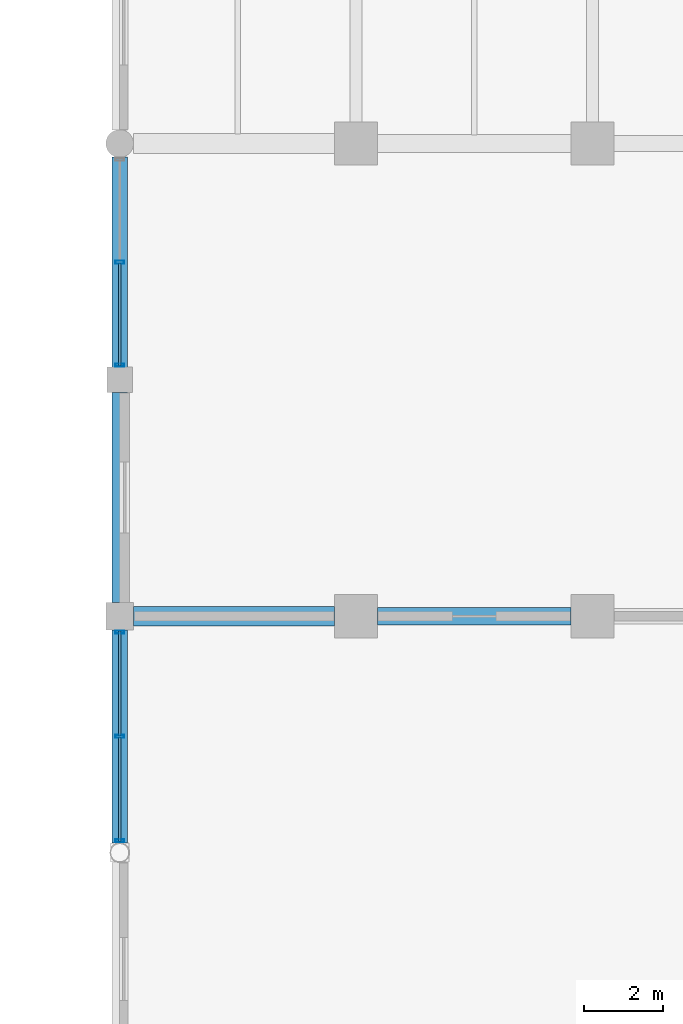
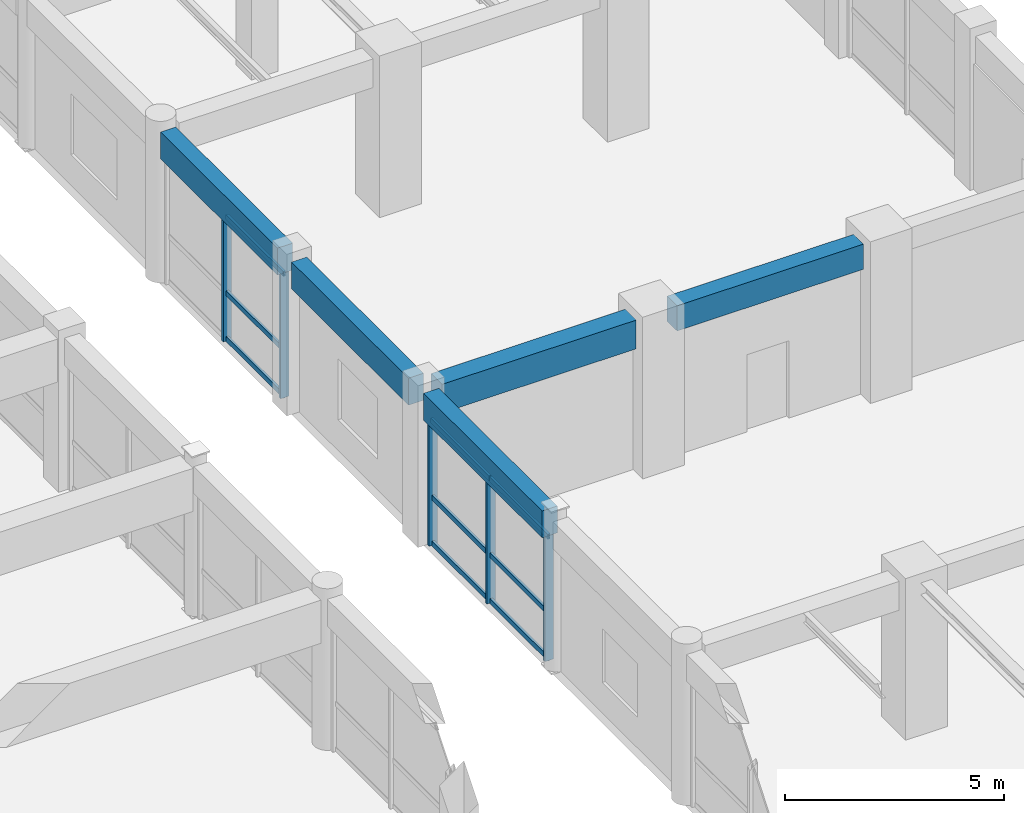
# One storey, part 57 of 116: 14 members, 5 beams, 2 elements without a shape of their own.
"""IFC4 building model written with IfcOpenShell, lengths in metres."""

from ifc_helpers import new_model, si_unit, direction, frame, origin, origin_2d, place, context, subcontext, project, spatial, rectangle, hollow_rectangle, extrude, material, material_profile, profile_set, type_object, element, aggregate, save


model = new_model("IFC4")

# Units and contexts
model_context = context("Model", 3, precision=1e-05, world=origin(), true_north=direction((0.0, 1.0)))
body_context = subcontext(model_context, "Body", "Model", "MODEL_VIEW")
ifc_project = project(units=[si_unit("LENGTHUNIT", "METRE"), si_unit("AREAUNIT", "SQUARE_METRE"), si_unit("VOLUMEUNIT", "CUBIC_METRE"), si_unit("PLANEANGLEUNIT", "RADIAN"), si_unit("MASSUNIT", "GRAM", prefix="KILO"), si_unit("THERMODYNAMICTEMPERATUREUNIT", "KELVIN"), si_unit("POWERUNIT", "WATT")], contexts=[model_context])

# Site, building, storey
site_placement = place(None, origin())
site = spatial("IfcSite", under=ifc_project, at=site_placement, CompositionType="ELEMENT")
building_placement = place(site_placement, origin())
building = spatial("IfcBuilding", under=site, at=building_placement, Name="Phaisarnlok Congress Hotel", CompositionType="ELEMENT")
storey_placement = place(building_placement, frame((0.0, 0.0, 10.5)))
storey = spatial("IfcBuildingStorey", under=building, at=storey_placement, Name="L02", CompositionType="ELEMENT", Elevation=10.5)

# Beams
ifc_material_1 = material(Name="Concrete C40/50", Category="concrete")
ifc_material_profile_1 = material_profile(ifc_material_1, rectangle(XDim=0.449951171875, YDim=0.699951171875, at=origin_2d()), Name="RC 450x700")
ifc_profile_set_1 = profile_set([ifc_material_profile_1], Name="Concrete C40/50")
beam_type_1 = type_object("IfcBeamType", Name="BM-RC-450x700", PredefinedType="BEAM", material=ifc_profile_set_1)
beam_1_placement = place(storey_placement, frame((168.544921875, 54.0, 3.889892578125), z_axis=(1.0, 0.0, 0.0), x_axis=(0.0, 1.0, 0.0)))
element("IfcBeam", 1, at=beam_1_placement, inside=storey, type_object=beam_type_1, Name="Beam B-03", PredefinedType="BEAM", context=body_context, shape_type="SweptSolid", body=[
    extrude(rectangle(XDim=0.449951171875, YDim=0.699951171875, at=origin_2d()), origin(), (0.0, 0.0, 1.0), 4.91015625),
])
ifc_material_profile_2 = material_profile(ifc_material_1, rectangle(XDim=0.5, YDim=0.800048828125, at=origin_2d()), Name="RC 500x800")
ifc_profile_set_2 = profile_set([ifc_material_profile_2], Name="Concrete C40/50")
beam_type_2 = type_object("IfcBeamType", Name="BM-RC-500x800", PredefinedType="BEAM", material=ifc_profile_set_2)
beam_2_placement = place(storey_placement, frame((162.344970703125, 54.0, 3.840087890625), z_axis=(1.0, 0.0, 0.0), x_axis=(0.0, 1.0, 0.0)))
element("IfcBeam", 2, at=beam_2_placement, inside=storey, type_object=beam_type_2, Name="Beam B-04", PredefinedType="BEAM", context=body_context, shape_type="SweptSolid", body=[
    extrude(rectangle(XDim=0.5, YDim=0.800048828125, at=origin_2d()), origin(), (0.0, 0.0, 1.0), 5.110107421875),
])

# Curtain wall, members
ifc_material_2 = material(Name="Thermally Broken Unitised Aluminium & Low-E Glazing", Category="aluminium")
curtain_wall_type_1 = type_object("IfcCurtainWallType", Name="CW-UNIT-16", PredefinedType="NOTDEFINED", material=ifc_material_2)
curtain_wall_1_placement = place(storey_placement, origin())
curtain_wall_1 = element("IfcCurtainWall", 3, at=curtain_wall_1_placement, inside=storey, type_object=curtain_wall_type_1, Name="Unitised curtain wall CW-16 (L02)", PredefinedType="NOTDEFINED")
ifc_material_3 = material(Name="Anodised Aluminium Alloy 6063-T6", Category="aluminium")
ifc_material_profile_3 = material_profile(ifc_material_3, hollow_rectangle(XDim=0.074951171875, YDim=0.219970703125, WallThickness=0.0048828125, at=origin_2d()), Name="ALU-M 75x220x5")
ifc_profile_set_3 = profile_set([ifc_material_profile_3], Name="Anodised Aluminium Alloy 6063-T6")
member_type_1 = type_object("IfcMemberType", Name="CWM-220", PredefinedType="MULLION", material=ifc_profile_set_3)
member_1_placement = place(storey_placement, frame((162.0, 62.987548828125, 0.0), z_axis=(0.0, 0.0, 1.0), x_axis=(0.0, -1.0, 0.0)))
member_1 = element("IfcMember", 4, at=member_1_placement, type_object=member_type_1, Name="Curtain wall mullion CWM-02", PredefinedType="MULLION", context=body_context, shape_type="SweptSolid", body=[
    extrude(hollow_rectangle(XDim=0.074951171875, YDim=0.219970703125, WallThickness=0.0048828125, at=origin_2d()), origin(), (0.0, 0.0, 1.0), 3.489990234375),
])
member_2_placement = place(storey_placement, frame((162.0, 60.375, 0.0), z_axis=(0.0, 0.0, 1.0), x_axis=(0.0, -1.0, 0.0)))
member_2 = element("IfcMember", 5, at=member_2_placement, type_object=member_type_1, Name="Curtain wall mullion CWM-02", PredefinedType="MULLION", context=body_context, shape_type="SweptSolid", body=[
    extrude(hollow_rectangle(XDim=0.074951171875, YDim=0.219970703125, WallThickness=0.0048828125, at=origin_2d()), origin(), (0.0, 0.0, 1.0), 3.489990234375),
])

curtain_wall_type_2 = type_object("IfcCurtainWallType", Name="CW-UNIT-17", PredefinedType="NOTDEFINED", material=ifc_material_2)
curtain_wall_2_placement = place(storey_placement, origin())
curtain_wall_2 = element("IfcCurtainWall", 6, at=curtain_wall_2_placement, inside=storey, type_object=curtain_wall_type_2, Name="Unitised curtain wall CW-17 (L02)", PredefinedType="NOTDEFINED")
member_3_placement = place(storey_placement, frame((162.0, 53.60009765625, 0.0), z_axis=(0.0, 0.0, 1.0), x_axis=(0.0, -1.0, 0.0)))
member_3 = element("IfcMember", 7, at=member_3_placement, type_object=member_type_1, Name="Curtain wall mullion CWM-02", PredefinedType="MULLION", context=body_context, shape_type="SweptSolid", body=[
    extrude(hollow_rectangle(XDim=0.074951171875, YDim=0.219970703125, WallThickness=0.0048828125, at=origin_2d()), origin(), (0.0, 0.0, 1.0), 3.489990234375),
])
member_4_placement = place(storey_placement, frame((162.0, 50.951904296875, 0.0), z_axis=(0.0, 0.0, 1.0), x_axis=(0.0, -1.0, 0.0)))
member_4 = element("IfcMember", 8, at=member_4_placement, type_object=member_type_1, Name="Curtain wall mullion CWM-02", PredefinedType="MULLION", context=body_context, shape_type="SweptSolid", body=[
    extrude(hollow_rectangle(XDim=0.074951171875, YDim=0.219970703125, WallThickness=0.0048828125, at=origin_2d()), origin(), (0.0, 0.0, 1.0), 3.489990234375),
])
member_5_placement = place(storey_placement, frame((162.0, 48.303955078125, 0.0), z_axis=(0.0, 0.0, 1.0), x_axis=(0.0, -1.0, 0.0)))
member_5 = element("IfcMember", 9, at=member_5_placement, type_object=member_type_1, Name="Curtain wall mullion CWM-02", PredefinedType="MULLION", context=body_context, shape_type="SweptSolid", body=[
    extrude(hollow_rectangle(XDim=0.074951171875, YDim=0.219970703125, WallThickness=0.0048828125, at=origin_2d()), origin(), (0.0, 0.0, 1.0), 3.489990234375),
])

# Member
ifc_material_profile_4 = material_profile(ifc_material_3, hollow_rectangle(XDim=0.06494140625, YDim=0.139892578125, WallThickness=0.00390625, at=origin_2d()), Name="ALU-T 65x140x4")
ifc_profile_set_4 = profile_set([ifc_material_profile_4], Name="Anodised Aluminium Alloy 6063-T6")
member_type_2 = type_object("IfcMemberType", Name="CWT-150", PredefinedType="USERDEFINED", material=ifc_profile_set_4)
member_6_placement = place(storey_placement, frame((162.0, 62.972412109375, 0.050048828125), z_axis=(0.0, -1.0, 0.0), x_axis=(1.0, 0.0, 0.0)))
member_6 = element("IfcMember", 10, at=member_6_placement, type_object=member_type_2, Name="Curtain wall transom CWT-01", ObjectType="TRANSOM", PredefinedType="USERDEFINED", context=body_context, shape_type="SweptSolid", body=[
    extrude(hollow_rectangle(XDim=0.06494140625, YDim=0.139892578125, WallThickness=0.00390625, at=origin_2d()), origin(), (0.0, 0.0, 1.0), 2.622314453125),
])

member_7_placement = place(storey_placement, frame((162.0, 62.972412109375, 1.326171875), z_axis=(0.0, -1.0, 0.0), x_axis=(1.0, 0.0, 0.0)))
member_7 = element("IfcMember", 11, at=member_7_placement, type_object=member_type_2, Name="Curtain wall transom CWT-01", ObjectType="TRANSOM", PredefinedType="USERDEFINED", context=body_context, shape_type="SweptSolid", body=[
    extrude(hollow_rectangle(XDim=0.06494140625, YDim=0.139892578125, WallThickness=0.00390625, at=origin_2d()), origin(), (0.0, 0.0, 1.0), 2.622314453125),
])

member_8_placement = place(storey_placement, frame((162.0, 62.972412109375, 3.43994140625), z_axis=(0.0, -1.0, 0.0), x_axis=(1.0, 0.0, 0.0)))
member_8 = element("IfcMember", 12, at=member_8_placement, type_object=member_type_2, Name="Curtain wall transom CWT-01", ObjectType="TRANSOM", PredefinedType="USERDEFINED", context=body_context, shape_type="SweptSolid", body=[
    extrude(hollow_rectangle(XDim=0.06494140625, YDim=0.139892578125, WallThickness=0.00390625, at=origin_2d()), origin(), (0.0, 0.0, 1.0), 2.622314453125),
])

aggregate(curtain_wall_1, [member_1, member_2, member_6, member_7, member_8])

member_9_placement = place(storey_placement, frame((162.0, 53.625, 0.050048828125), z_axis=(0.0, -1.0, 0.0), x_axis=(1.0, 0.0, 0.0)))
member_9 = element("IfcMember", 13, at=member_9_placement, type_object=member_type_2, Name="Curtain wall transom CWT-01", ObjectType="TRANSOM", PredefinedType="USERDEFINED", context=body_context, shape_type="SweptSolid", body=[
    extrude(hollow_rectangle(XDim=0.06494140625, YDim=0.139892578125, WallThickness=0.00390625, at=origin_2d()), origin(), (0.0, 0.0, 1.0), 2.657958984375),
])

member_10_placement = place(storey_placement, frame((162.0, 53.625, 1.326171875), z_axis=(0.0, -1.0, 0.0), x_axis=(1.0, 0.0, 0.0)))
member_10 = element("IfcMember", 14, at=member_10_placement, type_object=member_type_2, Name="Curtain wall transom CWT-01", ObjectType="TRANSOM", PredefinedType="USERDEFINED", context=body_context, shape_type="SweptSolid", body=[
    extrude(hollow_rectangle(XDim=0.06494140625, YDim=0.139892578125, WallThickness=0.00390625, at=origin_2d()), origin(), (0.0, 0.0, 1.0), 2.657958984375),
])

member_11_placement = place(storey_placement, frame((162.0, 53.625, 3.43994140625), z_axis=(0.0, -1.0, 0.0), x_axis=(1.0, 0.0, 0.0)))
member_11 = element("IfcMember", 15, at=member_11_placement, type_object=member_type_2, Name="Curtain wall transom CWT-01", ObjectType="TRANSOM", PredefinedType="USERDEFINED", context=body_context, shape_type="SweptSolid", body=[
    extrude(hollow_rectangle(XDim=0.06494140625, YDim=0.139892578125, WallThickness=0.00390625, at=origin_2d()), origin(), (0.0, 0.0, 1.0), 2.657958984375),
])

member_12_placement = place(storey_placement, frame((162.0, 50.93701171875, 0.050048828125), z_axis=(0.0, -1.0, 0.0), x_axis=(1.0, 0.0, 0.0)))
member_12 = element("IfcMember", 16, at=member_12_placement, type_object=member_type_2, Name="Curtain wall transom CWT-01", ObjectType="TRANSOM", PredefinedType="USERDEFINED", context=body_context, shape_type="SweptSolid", body=[
    extrude(hollow_rectangle(XDim=0.06494140625, YDim=0.139892578125, WallThickness=0.00390625, at=origin_2d()), origin(), (0.0, 0.0, 1.0), 2.657958984375),
])

member_13_placement = place(storey_placement, frame((162.0, 50.93701171875, 1.326171875), z_axis=(0.0, -1.0, 0.0), x_axis=(1.0, 0.0, 0.0)))
member_13 = element("IfcMember", 17, at=member_13_placement, type_object=member_type_2, Name="Curtain wall transom CWT-01", ObjectType="TRANSOM", PredefinedType="USERDEFINED", context=body_context, shape_type="SweptSolid", body=[
    extrude(hollow_rectangle(XDim=0.06494140625, YDim=0.139892578125, WallThickness=0.00390625, at=origin_2d()), origin(), (0.0, 0.0, 1.0), 2.657958984375),
])

member_14_placement = place(storey_placement, frame((162.0, 50.93701171875, 3.43994140625), z_axis=(0.0, -1.0, 0.0), x_axis=(1.0, 0.0, 0.0)))
member_14 = element("IfcMember", 18, at=member_14_placement, type_object=member_type_2, Name="Curtain wall transom CWT-01", ObjectType="TRANSOM", PredefinedType="USERDEFINED", context=body_context, shape_type="SweptSolid", body=[
    extrude(hollow_rectangle(XDim=0.06494140625, YDim=0.139892578125, WallThickness=0.00390625, at=origin_2d()), origin(), (0.0, 0.0, 1.0), 2.657958984375),
])

aggregate(curtain_wall_2, [member_3, member_4, member_5, member_9, member_10, member_11, member_12, member_13, member_14])

# Beams
ifc_material_profile_5 = material_profile(ifc_material_1, rectangle(XDim=0.39990234375, YDim=0.75, at=origin_2d()), Name="RC 400x750")
ifc_profile_set_5 = profile_set([ifc_material_profile_5], Name="Concrete C40/50")
beam_type_3 = type_object("IfcBeamType", Name="SP-RC-400x750", PredefinedType="SPANDREL", material=ifc_profile_set_5)
beam_3_placement = place(storey_placement, frame((162.0, 48.2490234375, 3.864990234375), z_axis=(0.0, 1.0, 0.0), x_axis=(-1.0, 0.0, 0.0)))
element("IfcBeam", 19, at=beam_3_placement, inside=storey, type_object=beam_type_3, Name="Beam SP-02", PredefinedType="SPANDREL", context=body_context, shape_type="SweptSolid", body=[
    extrude(rectangle(XDim=0.39990234375, YDim=0.75, at=origin_2d()), origin(), (0.0, 0.0, 1.0), 5.406005859375),
])
for number, where, z_axis, x_axis, name in (
    (20, (162.0, 54.344970703125, 3.864990234375), (0.0, 1.0, 0.0), (-1.0, 0.0, 0.0), "Beam SP-02"),
    (21, (162.0, 60.320068359375, 3.864990234375), (0.0, 1.0, 0.0), (-1.0, 0.0, 0.0), "Beam SP-02"),
):
    element("IfcBeam", number, at=place(storey_placement, frame(where, z_axis=z_axis, x_axis=x_axis)), inside=storey, type_object=beam_type_3, Name=name, PredefinedType="SPANDREL", context=body_context, shape_type="SweptSolid", body=[
        extrude(rectangle(XDim=0.39990234375, YDim=0.75, at=origin_2d()), origin(), (0.0, 0.0, 1.0), 5.3349609375),
    ])

save(model, "model.ifc")
